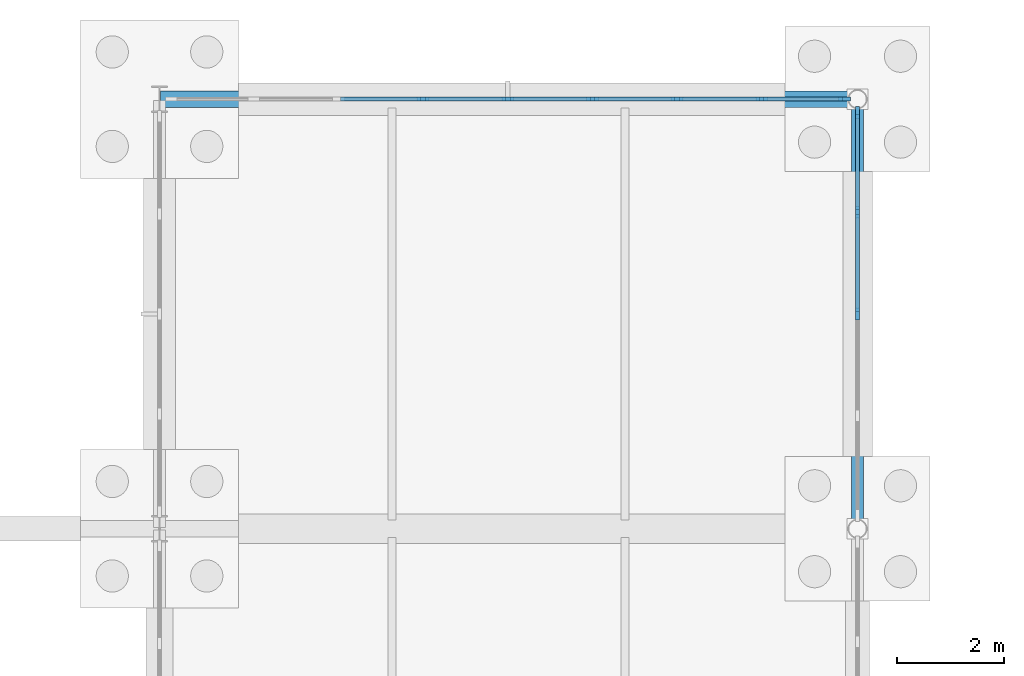
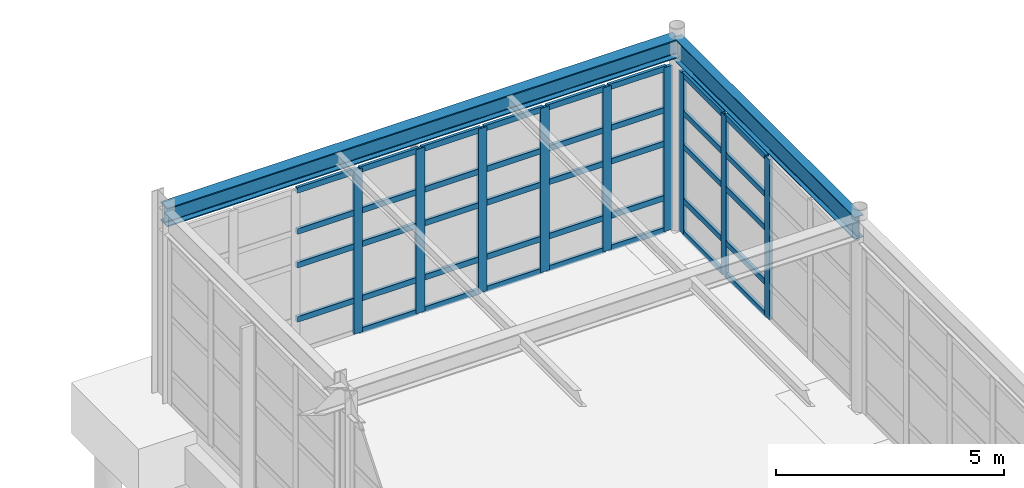
# One storey, part 80 of 145: 48 members, 2 beams, 2 elements without a shape of their own.
"""IFC4 building model written with IfcOpenShell, lengths in metres."""

from ifc_helpers import new_model, si_unit, direction, frame, origin, origin_2d, place, context, subcontext, project, spatial, rectangle, i_section, extrude, material, layer, layer_set, material_profile, profile_set, type_object, element, aggregate, save


model = new_model("IFC4")

# Units and contexts
model_context = context("Model", 3, precision=1e-05, world=origin(), true_north=direction((0.0, 1.0)))
body_context = subcontext(model_context, "Body", "Model", "MODEL_VIEW")
ifc_project = project(units=[si_unit("LENGTHUNIT", "METRE"), si_unit("AREAUNIT", "SQUARE_METRE"), si_unit("VOLUMEUNIT", "CUBIC_METRE"), si_unit("PLANEANGLEUNIT", "RADIAN"), si_unit("MASSUNIT", "GRAM", prefix="KILO"), si_unit("THERMODYNAMICTEMPERATUREUNIT", "KELVIN"), si_unit("POWERUNIT", "WATT")], contexts=[model_context])

# Site, building, storey
site_placement = place(None, origin())
site = spatial("IfcSite", under=ifc_project, at=site_placement, CompositionType="ELEMENT")
building_placement = place(site_placement, origin())
building = spatial("IfcBuilding", under=site, at=building_placement, Name="Korenveer Ferry Terminal", CompositionType="ELEMENT")
storey_placement = place(building_placement, origin())
storey = spatial("IfcBuildingStorey", under=building, at=storey_placement, Name="L00", CompositionType="ELEMENT", Elevation=0.0)

# Curtain wall, members
ifc_material_1 = material(Name="Unitised bronze-and-glass curtain wall", Category="glass")
ifc_layer_1 = layer(ifc_material_1, 0.219970703125)
ifc_layer_set_1 = layer_set([ifc_layer_1], Name="Unitised bronze-and-glass curtain wall")
curtain_wall_type_1 = type_object("IfcCurtainWallType", Name="ENV-CW-17", PredefinedType="USERDEFINED", material=ifc_layer_set_1)
curtain_wall_1_placement = place(storey_placement, frame((123.179931640625, 116.0, 0.0)))
curtain_wall_1 = element("IfcCurtainWall", 1, at=curtain_wall_1_placement, inside=storey, type_object=curtain_wall_type_1, Name="Lancet curtain wall CWX-L00-X123-136-Y116-116", ObjectType="UNITISED CURTAIN WALL", PredefinedType="USERDEFINED")
ifc_material_2 = material(Name="Anodised bronze aluminium", Category="aluminium")
ifc_material_profile_1 = material_profile(ifc_material_2, rectangle(XDim=0.074951171875, YDim=0.219970703125, at=origin_2d()), Name="ALU 75x220")
ifc_profile_set_1 = profile_set([ifc_material_profile_1], Name="Anodised bronze aluminium")
member_type_1 = type_object("IfcMemberType", Name="ENV-CWM-75X220", PredefinedType="MULLION", material=ifc_profile_set_1)
member_1_placement = place(storey_placement, frame((127.90966796875, 116.0, 0.0), z_axis=(0.0, 0.0, 1.0), x_axis=(0.0, 1.0, 0.0)))
member_1 = element("IfcMember", 2, at=member_1_placement, type_object=member_type_1, Name="CW-17 mullion 4", PredefinedType="MULLION", context=body_context, shape_type="SweptSolid", body=[
    extrude(rectangle(XDim=0.074951171875, YDim=0.219970703125, at=origin_2d()), origin(), (0.0, 0.0, 1.0), 4.389892578125),
])
member_2_placement = place(storey_placement, frame((129.486083984375, 116.0, 0.0), z_axis=(0.0, 0.0, 1.0), x_axis=(0.0, 1.0, 0.0)))
member_2 = element("IfcMember", 3, at=member_2_placement, type_object=member_type_1, Name="CW-17 mullion 5", PredefinedType="MULLION", context=body_context, shape_type="SweptSolid", body=[
    extrude(rectangle(XDim=0.074951171875, YDim=0.219970703125, at=origin_2d()), origin(), (0.0, 0.0, 1.0), 4.389892578125),
])
member_3_placement = place(storey_placement, frame((131.062744140625, 116.0, 0.0), z_axis=(0.0, 0.0, 1.0), x_axis=(0.0, 1.0, 0.0)))
member_3 = element("IfcMember", 4, at=member_3_placement, type_object=member_type_1, Name="CW-17 mullion 6", PredefinedType="MULLION", context=body_context, shape_type="SweptSolid", body=[
    extrude(rectangle(XDim=0.074951171875, YDim=0.219970703125, at=origin_2d()), origin(), (0.0, 0.0, 1.0), 4.389892578125),
])
member_4_placement = place(storey_placement, frame((132.63916015625, 116.0, 0.0), z_axis=(0.0, 0.0, 1.0), x_axis=(0.0, 1.0, 0.0)))
member_4 = element("IfcMember", 5, at=member_4_placement, type_object=member_type_1, Name="CW-17 mullion 7", PredefinedType="MULLION", context=body_context, shape_type="SweptSolid", body=[
    extrude(rectangle(XDim=0.074951171875, YDim=0.219970703125, at=origin_2d()), origin(), (0.0, 0.0, 1.0), 4.389892578125),
])
member_5_placement = place(storey_placement, frame((134.215576171875, 116.0, 0.0), z_axis=(0.0, 0.0, 1.0), x_axis=(0.0, 1.0, 0.0)))
member_5 = element("IfcMember", 6, at=member_5_placement, type_object=member_type_1, Name="CW-17 mullion 8", PredefinedType="MULLION", context=body_context, shape_type="SweptSolid", body=[
    extrude(rectangle(XDim=0.074951171875, YDim=0.219970703125, at=origin_2d()), origin(), (0.0, 0.0, 1.0), 4.389892578125),
])
member_6_placement = place(storey_placement, frame((135.754638671875, 116.0, 0.0), z_axis=(0.0, 0.0, 1.0), x_axis=(0.0, 1.0, 0.0)))
member_6 = element("IfcMember", 7, at=member_6_placement, type_object=member_type_1, Name="CW-17 mullion 9", PredefinedType="MULLION", context=body_context, shape_type="SweptSolid", body=[
    extrude(rectangle(XDim=0.074951171875, YDim=0.219970703125, at=origin_2d()), origin(), (0.0, 0.0, 1.0), 4.389892578125),
])

ifc_layer_2 = layer(ifc_material_1, 0.219970703125)
ifc_layer_set_2 = layer_set([ifc_layer_2], Name="Unitised bronze-and-glass curtain wall")
curtain_wall_type_2 = type_object("IfcCurtainWallType", Name="ENV-CW-31", PredefinedType="USERDEFINED", material=ifc_layer_set_2)
curtain_wall_2_placement = place(storey_placement, frame((136.0, 115.792236328125, 0.0)))
curtain_wall_2 = element("IfcCurtainWall", 8, at=curtain_wall_2_placement, inside=storey, type_object=curtain_wall_type_2, Name="Lancet curtain wall CWX-L00-X136-136-Y108-116", ObjectType="UNITISED CURTAIN WALL", PredefinedType="USERDEFINED")
member_7_placement = place(storey_placement, frame((136.0, 115.754638671875, 0.0), z_axis=(0.0, 0.0, 1.0), x_axis=(1.0, 0.0, 0.0)))
member_7 = element("IfcMember", 9, at=member_7_placement, type_object=member_type_1, Name="CW-31 mullion 1", PredefinedType="MULLION", context=body_context, shape_type="SweptSolid", body=[
    extrude(rectangle(XDim=0.074951171875, YDim=0.219970703125, at=origin_2d()), origin(), (0.0, 0.0, 1.0), 4.2900390625),
])
member_8_placement = place(storey_placement, frame((136.0, 113.89599609375, 0.0), z_axis=(0.0, 0.0, 1.0), x_axis=(1.0, 0.0, 0.0)))
member_8 = element("IfcMember", 10, at=member_8_placement, type_object=member_type_1, Name="CW-31 mullion 2", PredefinedType="MULLION", context=body_context, shape_type="SweptSolid", body=[
    extrude(rectangle(XDim=0.074951171875, YDim=0.219970703125, at=origin_2d()), origin(), (0.0, 0.0, 1.0), 4.2900390625),
])
member_9_placement = place(storey_placement, frame((136.0, 112.0, 0.0), z_axis=(0.0, 0.0, 1.0), x_axis=(1.0, 0.0, 0.0)))
member_9 = element("IfcMember", 11, at=member_9_placement, type_object=member_type_1, Name="CW-31 mullion 3", PredefinedType="MULLION", context=body_context, shape_type="SweptSolid", body=[
    extrude(rectangle(XDim=0.074951171875, YDim=0.219970703125, at=origin_2d()), origin(), (0.0, 0.0, 1.0), 4.2900390625),
])

# Member
ifc_material_profile_2 = material_profile(ifc_material_2, rectangle(XDim=0.074951171875, YDim=0.14990234375, at=origin_2d()), Name="ALU 75x150")
ifc_profile_set_2 = profile_set([ifc_material_profile_2], Name="Anodised bronze aluminium")
member_type_2 = type_object("IfcMemberType", Name="ENV-CWT-75X150", PredefinedType="USERDEFINED", material=ifc_profile_set_2)
member_10_placement = place(storey_placement, frame((126.37060546875, 116.0, 0.89990234375), z_axis=(1.0, 0.0, 0.0), x_axis=(0.0, 1.0, 0.0)))
member_10 = element("IfcMember", 12, at=member_10_placement, type_object=member_type_2, Name="CW-17 transom 3.2", ObjectType="TRANSOM", PredefinedType="USERDEFINED", context=body_context, shape_type="SweptSolid", body=[
    extrude(rectangle(XDim=0.074951171875, YDim=0.14990234375, at=origin_2d()), origin(), (0.0, 0.0, 1.0), 1.50146484375),
])

member_11_placement = place(storey_placement, frame((126.37060546875, 116.0, 2.35009765625), z_axis=(1.0, 0.0, 0.0), x_axis=(0.0, 1.0, 0.0)))
member_11 = element("IfcMember", 13, at=member_11_placement, type_object=member_type_2, Name="CW-17 transom 3.3", ObjectType="TRANSOM", PredefinedType="USERDEFINED", context=body_context, shape_type="SweptSolid", body=[
    extrude(rectangle(XDim=0.074951171875, YDim=0.14990234375, at=origin_2d()), origin(), (0.0, 0.0, 1.0), 1.50146484375),
])

member_12_placement = place(storey_placement, frame((126.37060546875, 116.0, 3.25), z_axis=(1.0, 0.0, 0.0), x_axis=(0.0, 1.0, 0.0)))
member_12 = element("IfcMember", 14, at=member_12_placement, type_object=member_type_2, Name="CW-17 transom 3.4", ObjectType="TRANSOM", PredefinedType="USERDEFINED", context=body_context, shape_type="SweptSolid", body=[
    extrude(rectangle(XDim=0.074951171875, YDim=0.14990234375, at=origin_2d()), origin(), (0.0, 0.0, 1.0), 1.50146484375),
])

member_13_placement = place(storey_placement, frame((126.37060546875, 116.0, 4.3525390625), z_axis=(1.0, 0.0, 0.0), x_axis=(0.0, 1.0, 0.0)))
member_13 = element("IfcMember", 15, at=member_13_placement, type_object=member_type_2, Name="CW-17 transom 3.5", ObjectType="TRANSOM", PredefinedType="USERDEFINED", context=body_context, shape_type="SweptSolid", body=[
    extrude(rectangle(XDim=0.074951171875, YDim=0.14990234375, at=origin_2d()), origin(), (0.0, 0.0, 1.0), 1.50146484375),
])

member_14_placement = place(storey_placement, frame((127.947021484375, 116.0, 0.03759765625), z_axis=(1.0, 0.0, 0.0), x_axis=(0.0, 1.0, 0.0)))
member_14 = element("IfcMember", 16, at=member_14_placement, type_object=member_type_2, Name="CW-17 transom 4.1", ObjectType="TRANSOM", PredefinedType="USERDEFINED", context=body_context, shape_type="SweptSolid", body=[
    extrude(rectangle(XDim=0.074951171875, YDim=0.14990234375, at=origin_2d()), origin(), (0.0, 0.0, 1.0), 1.50146484375),
])

member_15_placement = place(storey_placement, frame((127.947021484375, 116.0, 0.89990234375), z_axis=(1.0, 0.0, 0.0), x_axis=(0.0, 1.0, 0.0)))
member_15 = element("IfcMember", 17, at=member_15_placement, type_object=member_type_2, Name="CW-17 transom 4.2", ObjectType="TRANSOM", PredefinedType="USERDEFINED", context=body_context, shape_type="SweptSolid", body=[
    extrude(rectangle(XDim=0.074951171875, YDim=0.14990234375, at=origin_2d()), origin(), (0.0, 0.0, 1.0), 1.50146484375),
])

member_16_placement = place(storey_placement, frame((127.947021484375, 116.0, 2.35009765625), z_axis=(1.0, 0.0, 0.0), x_axis=(0.0, 1.0, 0.0)))
member_16 = element("IfcMember", 18, at=member_16_placement, type_object=member_type_2, Name="CW-17 transom 4.3", ObjectType="TRANSOM", PredefinedType="USERDEFINED", context=body_context, shape_type="SweptSolid", body=[
    extrude(rectangle(XDim=0.074951171875, YDim=0.14990234375, at=origin_2d()), origin(), (0.0, 0.0, 1.0), 1.50146484375),
])

member_17_placement = place(storey_placement, frame((127.947021484375, 116.0, 3.25), z_axis=(1.0, 0.0, 0.0), x_axis=(0.0, 1.0, 0.0)))
member_17 = element("IfcMember", 19, at=member_17_placement, type_object=member_type_2, Name="CW-17 transom 4.4", ObjectType="TRANSOM", PredefinedType="USERDEFINED", context=body_context, shape_type="SweptSolid", body=[
    extrude(rectangle(XDim=0.074951171875, YDim=0.14990234375, at=origin_2d()), origin(), (0.0, 0.0, 1.0), 1.50146484375),
])

member_18_placement = place(storey_placement, frame((127.947021484375, 116.0, 4.3525390625), z_axis=(1.0, 0.0, 0.0), x_axis=(0.0, 1.0, 0.0)))
member_18 = element("IfcMember", 20, at=member_18_placement, type_object=member_type_2, Name="CW-17 transom 4.5", ObjectType="TRANSOM", PredefinedType="USERDEFINED", context=body_context, shape_type="SweptSolid", body=[
    extrude(rectangle(XDim=0.074951171875, YDim=0.14990234375, at=origin_2d()), origin(), (0.0, 0.0, 1.0), 1.50146484375),
])

member_19_placement = place(storey_placement, frame((129.523681640625, 116.0, 0.03759765625), z_axis=(1.0, 0.0, 0.0), x_axis=(0.0, 1.0, 0.0)))
member_19 = element("IfcMember", 21, at=member_19_placement, type_object=member_type_2, Name="CW-17 transom 5.1", ObjectType="TRANSOM", PredefinedType="USERDEFINED", context=body_context, shape_type="SweptSolid", body=[
    extrude(rectangle(XDim=0.074951171875, YDim=0.14990234375, at=origin_2d()), origin(), (0.0, 0.0, 1.0), 1.50146484375),
])

member_20_placement = place(storey_placement, frame((129.523681640625, 116.0, 0.89990234375), z_axis=(1.0, 0.0, 0.0), x_axis=(0.0, 1.0, 0.0)))
member_20 = element("IfcMember", 22, at=member_20_placement, type_object=member_type_2, Name="CW-17 transom 5.2", ObjectType="TRANSOM", PredefinedType="USERDEFINED", context=body_context, shape_type="SweptSolid", body=[
    extrude(rectangle(XDim=0.074951171875, YDim=0.14990234375, at=origin_2d()), origin(), (0.0, 0.0, 1.0), 1.50146484375),
])

member_21_placement = place(storey_placement, frame((129.523681640625, 116.0, 2.35009765625), z_axis=(1.0, 0.0, 0.0), x_axis=(0.0, 1.0, 0.0)))
member_21 = element("IfcMember", 23, at=member_21_placement, type_object=member_type_2, Name="CW-17 transom 5.3", ObjectType="TRANSOM", PredefinedType="USERDEFINED", context=body_context, shape_type="SweptSolid", body=[
    extrude(rectangle(XDim=0.074951171875, YDim=0.14990234375, at=origin_2d()), origin(), (0.0, 0.0, 1.0), 1.50146484375),
])

member_22_placement = place(storey_placement, frame((129.523681640625, 116.0, 3.25), z_axis=(1.0, 0.0, 0.0), x_axis=(0.0, 1.0, 0.0)))
member_22 = element("IfcMember", 24, at=member_22_placement, type_object=member_type_2, Name="CW-17 transom 5.4", ObjectType="TRANSOM", PredefinedType="USERDEFINED", context=body_context, shape_type="SweptSolid", body=[
    extrude(rectangle(XDim=0.074951171875, YDim=0.14990234375, at=origin_2d()), origin(), (0.0, 0.0, 1.0), 1.50146484375),
])

member_23_placement = place(storey_placement, frame((129.523681640625, 116.0, 4.3525390625), z_axis=(1.0, 0.0, 0.0), x_axis=(0.0, 1.0, 0.0)))
member_23 = element("IfcMember", 25, at=member_23_placement, type_object=member_type_2, Name="CW-17 transom 5.5", ObjectType="TRANSOM", PredefinedType="USERDEFINED", context=body_context, shape_type="SweptSolid", body=[
    extrude(rectangle(XDim=0.074951171875, YDim=0.14990234375, at=origin_2d()), origin(), (0.0, 0.0, 1.0), 1.50146484375),
])

member_24_placement = place(storey_placement, frame((131.10009765625, 116.0, 0.03759765625), z_axis=(1.0, 0.0, 0.0), x_axis=(0.0, 1.0, 0.0)))
member_24 = element("IfcMember", 26, at=member_24_placement, type_object=member_type_2, Name="CW-17 transom 6.1", ObjectType="TRANSOM", PredefinedType="USERDEFINED", context=body_context, shape_type="SweptSolid", body=[
    extrude(rectangle(XDim=0.074951171875, YDim=0.14990234375, at=origin_2d()), origin(), (0.0, 0.0, 1.0), 1.50146484375),
])

member_25_placement = place(storey_placement, frame((131.10009765625, 116.0, 0.89990234375), z_axis=(1.0, 0.0, 0.0), x_axis=(0.0, 1.0, 0.0)))
member_25 = element("IfcMember", 27, at=member_25_placement, type_object=member_type_2, Name="CW-17 transom 6.2", ObjectType="TRANSOM", PredefinedType="USERDEFINED", context=body_context, shape_type="SweptSolid", body=[
    extrude(rectangle(XDim=0.074951171875, YDim=0.14990234375, at=origin_2d()), origin(), (0.0, 0.0, 1.0), 1.50146484375),
])

member_26_placement = place(storey_placement, frame((131.10009765625, 116.0, 2.35009765625), z_axis=(1.0, 0.0, 0.0), x_axis=(0.0, 1.0, 0.0)))
member_26 = element("IfcMember", 28, at=member_26_placement, type_object=member_type_2, Name="CW-17 transom 6.3", ObjectType="TRANSOM", PredefinedType="USERDEFINED", context=body_context, shape_type="SweptSolid", body=[
    extrude(rectangle(XDim=0.074951171875, YDim=0.14990234375, at=origin_2d()), origin(), (0.0, 0.0, 1.0), 1.50146484375),
])

member_27_placement = place(storey_placement, frame((131.10009765625, 116.0, 3.25), z_axis=(1.0, 0.0, 0.0), x_axis=(0.0, 1.0, 0.0)))
member_27 = element("IfcMember", 29, at=member_27_placement, type_object=member_type_2, Name="CW-17 transom 6.4", ObjectType="TRANSOM", PredefinedType="USERDEFINED", context=body_context, shape_type="SweptSolid", body=[
    extrude(rectangle(XDim=0.074951171875, YDim=0.14990234375, at=origin_2d()), origin(), (0.0, 0.0, 1.0), 1.50146484375),
])

member_28_placement = place(storey_placement, frame((131.10009765625, 116.0, 4.3525390625), z_axis=(1.0, 0.0, 0.0), x_axis=(0.0, 1.0, 0.0)))
member_28 = element("IfcMember", 30, at=member_28_placement, type_object=member_type_2, Name="CW-17 transom 6.5", ObjectType="TRANSOM", PredefinedType="USERDEFINED", context=body_context, shape_type="SweptSolid", body=[
    extrude(rectangle(XDim=0.074951171875, YDim=0.14990234375, at=origin_2d()), origin(), (0.0, 0.0, 1.0), 1.50146484375),
])

member_29_placement = place(storey_placement, frame((132.6767578125, 116.0, 0.03759765625), z_axis=(1.0, 0.0, 0.0), x_axis=(0.0, 1.0, 0.0)))
member_29 = element("IfcMember", 31, at=member_29_placement, type_object=member_type_2, Name="CW-17 transom 7.1", ObjectType="TRANSOM", PredefinedType="USERDEFINED", context=body_context, shape_type="SweptSolid", body=[
    extrude(rectangle(XDim=0.074951171875, YDim=0.14990234375, at=origin_2d()), origin(), (0.0, 0.0, 1.0), 1.50146484375),
])

member_30_placement = place(storey_placement, frame((132.6767578125, 116.0, 0.89990234375), z_axis=(1.0, 0.0, 0.0), x_axis=(0.0, 1.0, 0.0)))
member_30 = element("IfcMember", 32, at=member_30_placement, type_object=member_type_2, Name="CW-17 transom 7.2", ObjectType="TRANSOM", PredefinedType="USERDEFINED", context=body_context, shape_type="SweptSolid", body=[
    extrude(rectangle(XDim=0.074951171875, YDim=0.14990234375, at=origin_2d()), origin(), (0.0, 0.0, 1.0), 1.50146484375),
])

member_31_placement = place(storey_placement, frame((132.6767578125, 116.0, 2.35009765625), z_axis=(1.0, 0.0, 0.0), x_axis=(0.0, 1.0, 0.0)))
member_31 = element("IfcMember", 33, at=member_31_placement, type_object=member_type_2, Name="CW-17 transom 7.3", ObjectType="TRANSOM", PredefinedType="USERDEFINED", context=body_context, shape_type="SweptSolid", body=[
    extrude(rectangle(XDim=0.074951171875, YDim=0.14990234375, at=origin_2d()), origin(), (0.0, 0.0, 1.0), 1.50146484375),
])

member_32_placement = place(storey_placement, frame((132.6767578125, 116.0, 3.25), z_axis=(1.0, 0.0, 0.0), x_axis=(0.0, 1.0, 0.0)))
member_32 = element("IfcMember", 34, at=member_32_placement, type_object=member_type_2, Name="CW-17 transom 7.4", ObjectType="TRANSOM", PredefinedType="USERDEFINED", context=body_context, shape_type="SweptSolid", body=[
    extrude(rectangle(XDim=0.074951171875, YDim=0.14990234375, at=origin_2d()), origin(), (0.0, 0.0, 1.0), 1.50146484375),
])

member_33_placement = place(storey_placement, frame((132.6767578125, 116.0, 4.3525390625), z_axis=(1.0, 0.0, 0.0), x_axis=(0.0, 1.0, 0.0)))
member_33 = element("IfcMember", 35, at=member_33_placement, type_object=member_type_2, Name="CW-17 transom 7.5", ObjectType="TRANSOM", PredefinedType="USERDEFINED", context=body_context, shape_type="SweptSolid", body=[
    extrude(rectangle(XDim=0.074951171875, YDim=0.14990234375, at=origin_2d()), origin(), (0.0, 0.0, 1.0), 1.50146484375),
])

member_34_placement = place(storey_placement, frame((134.253173828125, 116.0, 0.03759765625), z_axis=(1.0, 0.0, 0.0), x_axis=(0.0, 1.0, 0.0)))
member_34 = element("IfcMember", 36, at=member_34_placement, type_object=member_type_2, Name="CW-17 transom 8.1", ObjectType="TRANSOM", PredefinedType="USERDEFINED", context=body_context, shape_type="SweptSolid", body=[
    extrude(rectangle(XDim=0.074951171875, YDim=0.14990234375, at=origin_2d()), origin(), (0.0, 0.0, 1.0), 1.464111328125),
])

member_35_placement = place(storey_placement, frame((134.253173828125, 116.0, 0.89990234375), z_axis=(1.0, 0.0, 0.0), x_axis=(0.0, 1.0, 0.0)))
member_35 = element("IfcMember", 37, at=member_35_placement, type_object=member_type_2, Name="CW-17 transom 8.2", ObjectType="TRANSOM", PredefinedType="USERDEFINED", context=body_context, shape_type="SweptSolid", body=[
    extrude(rectangle(XDim=0.074951171875, YDim=0.14990234375, at=origin_2d()), origin(), (0.0, 0.0, 1.0), 1.464111328125),
])

member_36_placement = place(storey_placement, frame((134.253173828125, 116.0, 2.35009765625), z_axis=(1.0, 0.0, 0.0), x_axis=(0.0, 1.0, 0.0)))
member_36 = element("IfcMember", 38, at=member_36_placement, type_object=member_type_2, Name="CW-17 transom 8.3", ObjectType="TRANSOM", PredefinedType="USERDEFINED", context=body_context, shape_type="SweptSolid", body=[
    extrude(rectangle(XDim=0.074951171875, YDim=0.14990234375, at=origin_2d()), origin(), (0.0, 0.0, 1.0), 1.464111328125),
])

member_37_placement = place(storey_placement, frame((134.253173828125, 116.0, 3.25), z_axis=(1.0, 0.0, 0.0), x_axis=(0.0, 1.0, 0.0)))
member_37 = element("IfcMember", 39, at=member_37_placement, type_object=member_type_2, Name="CW-17 transom 8.4", ObjectType="TRANSOM", PredefinedType="USERDEFINED", context=body_context, shape_type="SweptSolid", body=[
    extrude(rectangle(XDim=0.074951171875, YDim=0.14990234375, at=origin_2d()), origin(), (0.0, 0.0, 1.0), 1.464111328125),
])

member_38_placement = place(storey_placement, frame((134.253173828125, 116.0, 4.3525390625), z_axis=(1.0, 0.0, 0.0), x_axis=(0.0, 1.0, 0.0)))
member_38 = element("IfcMember", 40, at=member_38_placement, type_object=member_type_2, Name="CW-17 transom 8.5", ObjectType="TRANSOM", PredefinedType="USERDEFINED", context=body_context, shape_type="SweptSolid", body=[
    extrude(rectangle(XDim=0.074951171875, YDim=0.14990234375, at=origin_2d()), origin(), (0.0, 0.0, 1.0), 1.464111328125),
])

aggregate(curtain_wall_1, [member_1, member_2, member_3, member_4, member_5, member_6, member_10, member_11, member_12, member_13, member_14, member_15, member_16, member_17, member_18, member_19, member_20, member_21, member_22, member_23, member_24, member_25, member_26, member_27, member_28, member_29, member_30, member_31, member_32, member_33, member_34, member_35, member_36, member_37, member_38])

member_39_placement = place(storey_placement, frame((136.0, 115.71728515625, 0.03759765625), z_axis=(0.0, -1.0, 0.0), x_axis=(1.0, 0.0, 0.0)))
member_39 = element("IfcMember", 41, at=member_39_placement, type_object=member_type_2, Name="CW-31 transom 1.1", ObjectType="TRANSOM", PredefinedType="USERDEFINED", context=body_context, shape_type="SweptSolid", body=[
    extrude(rectangle(XDim=0.074951171875, YDim=0.14990234375, at=origin_2d()), origin(), (0.0, 0.0, 1.0), 1.78369140625),
])

member_40_placement = place(storey_placement, frame((136.0, 115.71728515625, 0.89990234375), z_axis=(0.0, -1.0, 0.0), x_axis=(1.0, 0.0, 0.0)))
member_40 = element("IfcMember", 42, at=member_40_placement, type_object=member_type_2, Name="CW-31 transom 1.2", ObjectType="TRANSOM", PredefinedType="USERDEFINED", context=body_context, shape_type="SweptSolid", body=[
    extrude(rectangle(XDim=0.074951171875, YDim=0.14990234375, at=origin_2d()), origin(), (0.0, 0.0, 1.0), 1.78369140625),
])

member_41_placement = place(storey_placement, frame((136.0, 115.71728515625, 2.35009765625), z_axis=(0.0, -1.0, 0.0), x_axis=(1.0, 0.0, 0.0)))
member_41 = element("IfcMember", 43, at=member_41_placement, type_object=member_type_2, Name="CW-31 transom 1.3", ObjectType="TRANSOM", PredefinedType="USERDEFINED", context=body_context, shape_type="SweptSolid", body=[
    extrude(rectangle(XDim=0.074951171875, YDim=0.14990234375, at=origin_2d()), origin(), (0.0, 0.0, 1.0), 1.78369140625),
])

member_42_placement = place(storey_placement, frame((136.0, 115.71728515625, 3.25), z_axis=(0.0, -1.0, 0.0), x_axis=(1.0, 0.0, 0.0)))
member_42 = element("IfcMember", 44, at=member_42_placement, type_object=member_type_2, Name="CW-31 transom 1.4", ObjectType="TRANSOM", PredefinedType="USERDEFINED", context=body_context, shape_type="SweptSolid", body=[
    extrude(rectangle(XDim=0.074951171875, YDim=0.14990234375, at=origin_2d()), origin(), (0.0, 0.0, 1.0), 1.78369140625),
])

member_43_placement = place(storey_placement, frame((136.0, 115.71728515625, 4.25244140625), z_axis=(0.0, -1.0, 0.0), x_axis=(1.0, 0.0, 0.0)))
member_43 = element("IfcMember", 45, at=member_43_placement, type_object=member_type_2, Name="CW-31 transom 1.5", ObjectType="TRANSOM", PredefinedType="USERDEFINED", context=body_context, shape_type="SweptSolid", body=[
    extrude(rectangle(XDim=0.074951171875, YDim=0.14990234375, at=origin_2d()), origin(), (0.0, 0.0, 1.0), 1.78369140625),
])

member_44_placement = place(storey_placement, frame((136.0, 113.858642578125, 0.03759765625), z_axis=(0.0, -1.0, 0.0), x_axis=(1.0, 0.0, 0.0)))
member_44 = element("IfcMember", 46, at=member_44_placement, type_object=member_type_2, Name="CW-31 transom 2.1", ObjectType="TRANSOM", PredefinedType="USERDEFINED", context=body_context, shape_type="SweptSolid", body=[
    extrude(rectangle(XDim=0.074951171875, YDim=0.14990234375, at=origin_2d()), origin(), (0.0, 0.0, 1.0), 1.821044921875),
])

member_45_placement = place(storey_placement, frame((136.0, 113.858642578125, 0.89990234375), z_axis=(0.0, -1.0, 0.0), x_axis=(1.0, 0.0, 0.0)))
member_45 = element("IfcMember", 47, at=member_45_placement, type_object=member_type_2, Name="CW-31 transom 2.2", ObjectType="TRANSOM", PredefinedType="USERDEFINED", context=body_context, shape_type="SweptSolid", body=[
    extrude(rectangle(XDim=0.074951171875, YDim=0.14990234375, at=origin_2d()), origin(), (0.0, 0.0, 1.0), 1.821044921875),
])

member_46_placement = place(storey_placement, frame((136.0, 113.858642578125, 2.35009765625), z_axis=(0.0, -1.0, 0.0), x_axis=(1.0, 0.0, 0.0)))
member_46 = element("IfcMember", 48, at=member_46_placement, type_object=member_type_2, Name="CW-31 transom 2.3", ObjectType="TRANSOM", PredefinedType="USERDEFINED", context=body_context, shape_type="SweptSolid", body=[
    extrude(rectangle(XDim=0.074951171875, YDim=0.14990234375, at=origin_2d()), origin(), (0.0, 0.0, 1.0), 1.821044921875),
])

member_47_placement = place(storey_placement, frame((136.0, 113.858642578125, 3.25), z_axis=(0.0, -1.0, 0.0), x_axis=(1.0, 0.0, 0.0)))
member_47 = element("IfcMember", 49, at=member_47_placement, type_object=member_type_2, Name="CW-31 transom 2.4", ObjectType="TRANSOM", PredefinedType="USERDEFINED", context=body_context, shape_type="SweptSolid", body=[
    extrude(rectangle(XDim=0.074951171875, YDim=0.14990234375, at=origin_2d()), origin(), (0.0, 0.0, 1.0), 1.821044921875),
])

member_48_placement = place(storey_placement, frame((136.0, 113.858642578125, 4.25244140625), z_axis=(0.0, -1.0, 0.0), x_axis=(1.0, 0.0, 0.0)))
member_48 = element("IfcMember", 50, at=member_48_placement, type_object=member_type_2, Name="CW-31 transom 2.5", ObjectType="TRANSOM", PredefinedType="USERDEFINED", context=body_context, shape_type="SweptSolid", body=[
    extrude(rectangle(XDim=0.074951171875, YDim=0.14990234375, at=origin_2d()), origin(), (0.0, 0.0, 1.0), 1.821044921875),
])

aggregate(curtain_wall_2, [member_7, member_8, member_9, member_39, member_40, member_41, member_42, member_43, member_44, member_45, member_46, member_47, member_48])

# Beams
ifc_material_3 = material(Name="Steel S355", Category="steel")
ifc_material_profile_3 = material_profile(ifc_material_3, i_section(OverallWidth=0.300048828125, OverallDepth=0.5, WebThickness=0.014404296875, FlangeThickness=0.028076171875, FilletRadius=0.027099609375, at=origin_2d()), Name="HEB 500")
ifc_profile_set_3 = profile_set([ifc_material_profile_3], Name="Steel S355")
beam_type_1 = type_object("IfcBeamType", Name="STR-BM-HEB500", PredefinedType="BEAM", material=ifc_profile_set_3)
beam_1_placement = place(storey_placement, frame((123.02001953125, 116.0, 4.8701171875), z_axis=(1.0, 0.0, 0.0), x_axis=(0.0, 1.0, 0.0)))
element("IfcBeam", 51, at=beam_1_placement, inside=storey, type_object=beam_type_1, Name="Primary X girder BMX-L01-X123-136-Y116", PredefinedType="BEAM", context=body_context, shape_type="SweptSolid", body=[
    extrude(i_section(OverallWidth=0.300048828125, OverallDepth=0.5, WebThickness=0.014404296875, FlangeThickness=0.028076171875, FilletRadius=0.027099609375, at=origin_2d()), origin(), (0.0, 0.0, 1.0), 12.9599609375),
])
ifc_material_profile_4 = material_profile(ifc_material_3, i_section(OverallWidth=0.219970703125, OverallDepth=0.60009765625, WebThickness=0.011962890625, FlangeThickness=0.01904296875, FilletRadius=0.02392578125, at=origin_2d()), Name="IPE 600")
ifc_profile_set_4 = profile_set([ifc_material_profile_4], Name="Steel S355")
beam_type_2 = type_object("IfcBeamType", Name="STR-BM-IPE600", PredefinedType="BEAM", material=ifc_profile_set_4)
beam_2_placement = place(storey_placement, frame((136.0, 108.02001953125, 4.820068359375), z_axis=(0.0, 1.0, 0.0), x_axis=(-1.0, 0.0, 0.0)))
element("IfcBeam", 52, at=beam_2_placement, inside=storey, type_object=beam_type_2, Name="Primary Y girder BMY-L01-X136-Y108-116", PredefinedType="BEAM", context=body_context, shape_type="SweptSolid", body=[
    extrude(i_section(OverallWidth=0.219970703125, OverallDepth=0.60009765625, WebThickness=0.011962890625, FlangeThickness=0.01904296875, FilletRadius=0.02392578125, at=origin_2d()), origin(), (0.0, 0.0, 1.0), 7.9599609375),
])

save(model, "model.ifc")
